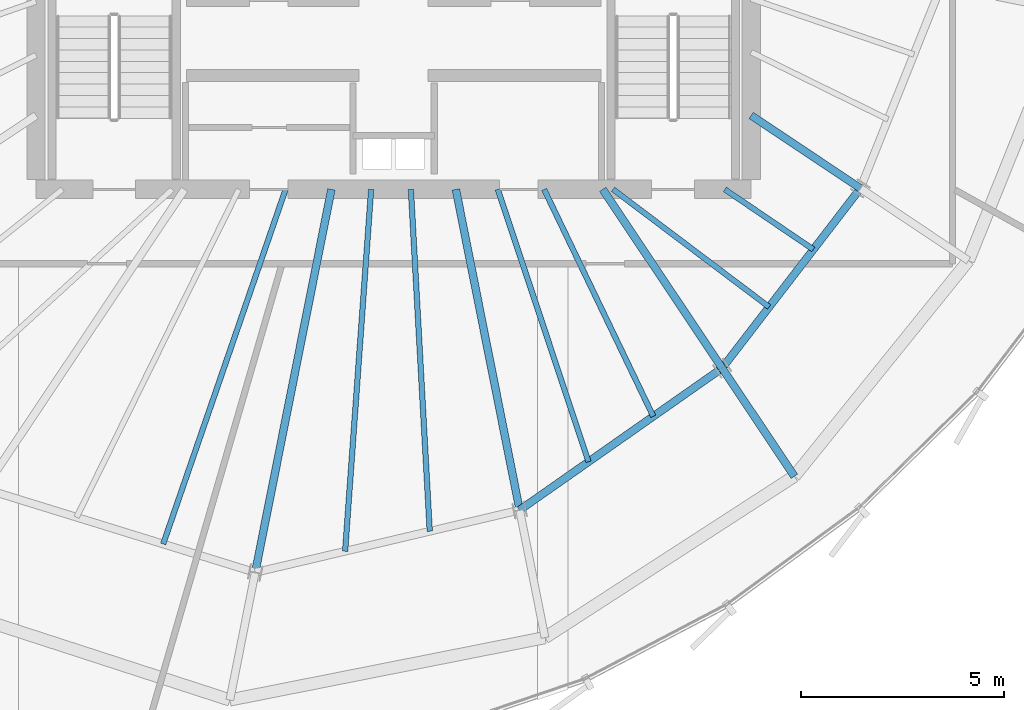
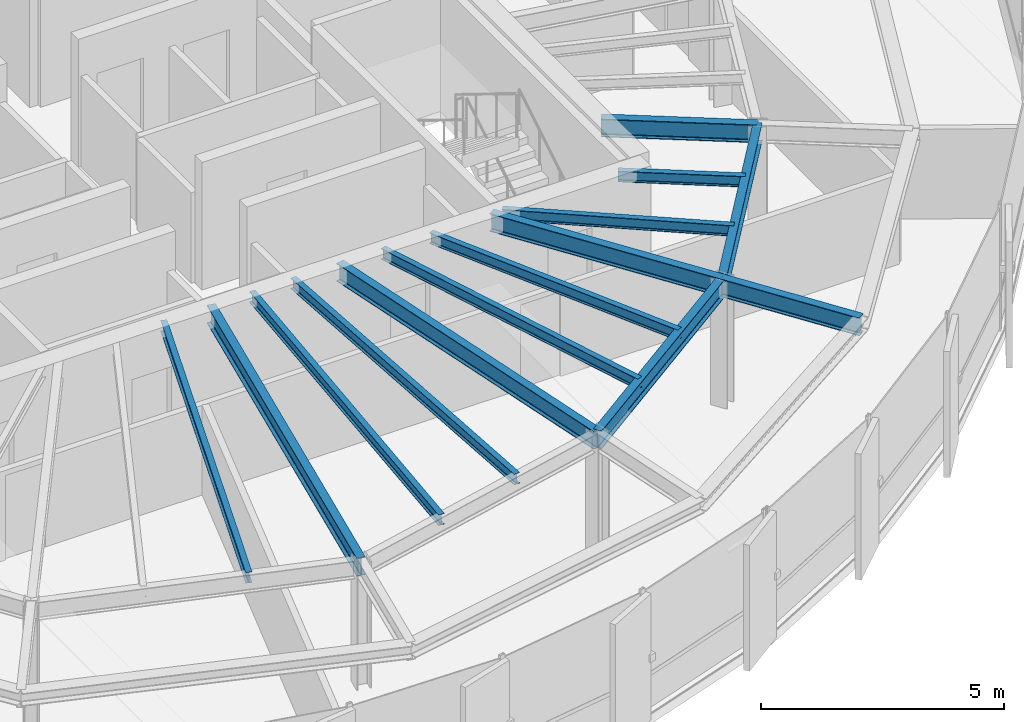
# One storey, part 8 of 34: 14 beams.
"""IFC4 building model written with IfcOpenShell, lengths in metres."""

import ifcopenshell
import ifcopenshell.guid

model = None  # the IFC model being written
_history = None  # IfcOwnerHistory: only IFC2X3 demands one
_inside = {}  # id of a spatial element -> (the spatial element, [elements in it])
_under = {}  # id of a project, library or spatial element -> (it, [spatial elements below it])
_declared = {}  # id of a project -> (the project, [libraries it declares])
_typed = {}  # id of a type object -> (the type object, [elements of that type])
_made_of = {}  # id of a material, layer set ... -> (it, [elements and type objects made of it])


def new_model(schema):
    """Start an empty IFC model of exactly this schema.

    Asked for "IFC4X3", IfcOpenShell would pick the latest addendum, in which some entities
    have other attributes; the version numbers below select the first issue.
    IFC2X3 requires an IfcOwnerHistory on every rooted entity: one is made here for all.
    """
    global model, _history
    if schema == "IFC4X3":
        model = ifcopenshell.file(schema_version=(4, 3, 0, 0))
    else:
        model = ifcopenshell.file(schema=schema)
    _inside.clear()
    _under.clear()
    _declared.clear()
    _typed.clear()
    _made_of.clear()
    _history = None
    if model.schema == "IFC2X3":
        org = make("IfcOrganization", Name="unknown")
        user = make(
            "IfcPersonAndOrganization",
            ThePerson=make("IfcPerson", FamilyName="unknown"),
            TheOrganization=org,
        )
        app = make(
            "IfcApplication",
            ApplicationDeveloper=org,
            Version="unknown",
            ApplicationFullName="unknown",
            ApplicationIdentifier="unknown",
        )
        _history = make(
            "IfcOwnerHistory",
            OwningUser=user,
            OwningApplication=app,
            ChangeAction="ADDED",
            CreationDate=0,
        )
    return model


def make(cls, **values):
    """One entity of the class cls with the attributes given. An attribute that is None is left unset."""
    return model.create_entity(
        cls, **{name: value for name, value in values.items() if value is not None}
    )


def rooted(cls, **values):
    """An entity with a GlobalId (a new one), such as an element, a storey or a relation."""
    return make(cls, GlobalId=ifcopenshell.guid.new(), OwnerHistory=_history, **values)


def si_unit(unit_type, name, prefix=None):
    """IfcSIUnit, for example si_unit("LENGTHUNIT", "METRE", prefix="MILLI")."""
    return make("IfcSIUnit", UnitType=unit_type, Prefix=prefix, Name=name)


def assignment(units):
    """IfcUnitAssignment: the units of a project."""
    return None if units is None else make("IfcUnitAssignment", Units=units)


def point(xyz):
    """IfcCartesianPoint."""
    return None if xyz is None else make("IfcCartesianPoint", Coordinates=xyz)


def direction(xyz):
    """IfcDirection."""
    return None if xyz is None else make("IfcDirection", DirectionRatios=xyz)


def frame(location, z_axis=None, x_axis=None):
    """IfcAxis2Placement3D, a coordinate frame: its origin and axes. An axis left out is left unset."""
    return make(
        "IfcAxis2Placement3D",
        Location=point(location),
        Axis=direction(z_axis),
        RefDirection=direction(x_axis),
    )


def frame_2d(location, x_axis=None):
    """IfcAxis2Placement2D, a coordinate frame in the plane: its origin and x axis."""
    return make(
        "IfcAxis2Placement2D", Location=point(location), RefDirection=direction(x_axis)
    )


def origin():
    """The frame at (0, 0, 0) with its axes left unset."""
    return frame((0.0, 0.0, 0.0))


def origin_2d():
    """The frame at (0, 0) in the plane with its x axis left unset."""
    return frame_2d((0.0, 0.0))


def place(relative_to, where):
    """IfcLocalPlacement: puts the frame where relative to a parent placement (None: the world)."""
    return make(
        "IfcLocalPlacement", PlacementRelTo=relative_to, RelativePlacement=where
    )


def context(
    kind, dimensions, precision=None, world=None, true_north=None, identifier=None
):
    """IfcGeometricRepresentationContext, for example the 3D "Model" context."""
    return make(
        "IfcGeometricRepresentationContext",
        ContextIdentifier=identifier,
        ContextType=kind,
        CoordinateSpaceDimension=dimensions,
        Precision=precision,
        WorldCoordinateSystem=world,
        TrueNorth=true_north,
    )


def subcontext(parent, identifier, kind, view, scale=None):
    """IfcGeometricRepresentationSubContext, for example "Body" below "Model"."""
    return make(
        "IfcGeometricRepresentationSubContext",
        ContextIdentifier=identifier,
        ContextType=kind,
        ParentContext=parent,
        TargetScale=scale,
        TargetView=view,
    )


def project(units=None, contexts=None):
    """IfcProject with its units and contexts."""
    return rooted(
        "IfcProject",
        Name="project",
        RepresentationContexts=contexts,
        UnitsInContext=assignment(units),
    )


def spatial(cls, under=None, at=None, **own):
    """A site, building, storey or space (cls), placed at a placement, below another one or the project."""
    s = rooted(cls, ObjectPlacement=at, **own)
    if under is not None:
        _under.setdefault(under.id(), (under, []))[1].append(s)
    return s


def profile(cls, at=None, kind="AREA", **sizes):
    """A parametric profile (cls). Its sizes go by their IFC names, for example OverallWidth=200.0."""
    return make(cls, ProfileType=kind, Position=at, **sizes)


def i_section(**sizes):
    """IfcIShapeProfileDef."""
    return profile("IfcIShapeProfileDef", **sizes)


def extrude(swept, where, along, depth):
    """IfcExtrudedAreaSolid: the profile swept, set in the frame where, extruded along a direction by depth."""
    return make(
        "IfcExtrudedAreaSolid",
        SweptArea=swept,
        Position=where,
        ExtrudedDirection=direction(along),
        Depth=depth,
    )


def shape(context_of_items, identifier, shape_type, items):
    """IfcShapeRepresentation: the items that make up one representation, for example the "Body"."""
    return make(
        "IfcShapeRepresentation",
        ContextOfItems=context_of_items,
        RepresentationIdentifier=identifier,
        RepresentationType=shape_type,
        Items=items,
    )


def source(mapping_origin, context_of_items, identifier, shape_type, items):
    """IfcRepresentationMap: a shape defined once, which mapped items show again and again."""
    return make(
        "IfcRepresentationMap",
        MappingOrigin=mapping_origin,
        MappedRepresentation=shape(context_of_items, identifier, shape_type, items),
    )


def transform(
    local_origin,
    x_axis=None,
    y_axis=None,
    z_axis=None,
    scale=None,
    scale2=None,
    scale3=None,
    uniform=True,
):
    """IfcCartesianTransformationOperator3D, or its non-uniform kind. x_axis, y_axis, z_axis: its Axis1, 2, 3."""
    if uniform:
        return make(
            "IfcCartesianTransformationOperator3D",
            Axis1=direction(x_axis),
            Axis2=direction(y_axis),
            LocalOrigin=point(local_origin),
            Scale=scale,
            Axis3=direction(z_axis),
        )
    return make(
        "IfcCartesianTransformationOperator3DnonUniform",
        Axis1=direction(x_axis),
        Axis2=direction(y_axis),
        LocalOrigin=point(local_origin),
        Scale=scale,
        Axis3=direction(z_axis),
        Scale2=scale2,
        Scale3=scale3,
    )


def mapped(mapping_source, mapping_target):
    """IfcMappedItem: shows the shape of a source again, moved by a transform."""
    return make(
        "IfcMappedItem", MappingSource=mapping_source, MappingTarget=mapping_target
    )


def material(Name=None, Category=None):
    """IfcMaterial."""
    return make("IfcMaterial", Name=Name, Category=Category)


def material_profile(
    of_material, cross_section, Name=None, Category=None, Priority=None
):
    """IfcMaterialProfile: a cross section and its material."""
    return make(
        "IfcMaterialProfile",
        Name=Name,
        Material=of_material,
        Profile=cross_section,
        Priority=Priority,
        Category=Category,
    )


def profile_set(profiles, Name=None, composite=None):
    """IfcMaterialProfileSet."""
    return make(
        "IfcMaterialProfileSet",
        Name=Name,
        MaterialProfiles=profiles,
        CompositeProfile=composite,
    )


def made_of(thing, what):
    """Note that an element or type object is made of a material, layer set ...; save() writes the relation."""
    if what is not None:
        _made_of.setdefault(what.id(), (what, []))[1].append(thing)
    return thing


def type_object(cls, material=None, **own):
    """A type object (cls), such as IfcWallType, which elements share."""
    return made_of(rooted(cls, **own), material)


def element(
    cls,
    number,
    at=None,
    inside=None,
    cuts=None,
    type_object=None,
    material=None,
    context=None,
    identifier="Body",
    shape_type=None,
    held_by="IfcProductDefinitionShape",
    body=None,
    shapes=None,
    **own,
):
    """One element of the class cls, such as IfcWall. Its Tag is "e" and its number.

    at: its placement. inside: the storey or other place that contains it. cuts: it is an
    opening in that element (IfcRelVoidsElement). A single representation is given by context,
    identifier, shape_type and body (its items); several are given by shapes. held_by: the class
    of the entity that holds the representations. save() writes the other relations.
    """
    e = rooted(cls, Tag="e%d" % number, ObjectPlacement=at, **own)
    if body is not None:
        shapes = [shape(context, identifier, shape_type, body)]
    if shapes is not None:
        e.Representation = make(held_by, Representations=shapes)
    if inside is not None:
        _inside.setdefault(inside.id(), (inside, []))[1].append(e)
    if cuts is not None:
        rooted(
            "IfcRelVoidsElement", RelatingBuildingElement=cuts, RelatedOpeningElement=e
        )
    if type_object is not None:
        _typed.setdefault(type_object.id(), (type_object, []))[1].append(e)
    return made_of(e, material)


def aggregate(whole, parts):
    """IfcRelAggregates: a whole, such as a stair, and the parts it consists of."""
    return rooted("IfcRelAggregates", RelatingObject=whole, RelatedObjects=parts)


def save(model, path):
    """Write the relations noted so far, then the file.

    IfcRelAggregates (storeys below a building ...), IfcRelContainedInSpatialStructure (elements
    in a storey), IfcRelDefinesByType, IfcRelAssociatesMaterial and IfcRelDeclares: one each for
    every whole, place, type object, material and project.
    """
    for whole, parts in _under.values():
        aggregate(whole, parts)
    for where, things in _inside.values():
        rooted(
            "IfcRelContainedInSpatialStructure",
            RelatedElements=things,
            RelatingStructure=where,
        )
    for kind, things in _typed.values():
        rooted("IfcRelDefinesByType", RelatedObjects=things, RelatingType=kind)
    for what, things in _made_of.values():
        rooted("IfcRelAssociatesMaterial", RelatedObjects=things, RelatingMaterial=what)
    for by, libraries in _declared.values():
        rooted("IfcRelDeclares", RelatingContext=by, RelatedDefinitions=libraries)
    model.write(path)


model = new_model("IFC4")

# Units and contexts
model_context = context("Model", 3, precision=1e-05, world=origin(), true_north=direction((0.0, 1.0)))
body_context = subcontext(model_context, "Body", "Model", "MODEL_VIEW")
ifc_project = project(units=[si_unit("LENGTHUNIT", "METRE"), si_unit("AREAUNIT", "SQUARE_METRE"), si_unit("VOLUMEUNIT", "CUBIC_METRE"), si_unit("PLANEANGLEUNIT", "RADIAN"), si_unit("MASSUNIT", "GRAM", prefix="KILO"), si_unit("THERMODYNAMICTEMPERATUREUNIT", "KELVIN")], contexts=[model_context])

# Site, building, storey
site_placement = place(None, origin())
site = spatial("IfcSite", under=ifc_project, at=site_placement, CompositionType="ELEMENT")
building_placement = place(site_placement, origin())
building = spatial("IfcBuilding", under=site, at=building_placement, Name="Kethvar Cultural Tower", CompositionType="ELEMENT")
storey_placement = place(building_placement, frame((0.0, 0.0, 231.85009765625)))
storey = spatial("IfcBuildingStorey", under=building, at=storey_placement, Name="L60", CompositionType="ELEMENT", Elevation=231.85009765625)

# Beams
ifc_material = material(Name="Steel S355J2", Category="steel")
ifc_material_profile_1 = material_profile(ifc_material, i_section(OverallWidth=0.18994140625, OverallDepth=0.449951171875, WebThickness=0.009521484375, FlangeThickness=0.0146484375, FilletRadius=0.02099609375, at=origin_2d()), Name="Steel S355J2 — IPE450")
ifc_profile_set_1 = profile_set([ifc_material_profile_1], Name="Steel S355J2 — IPE450")
beam_type_1 = type_object("IfcBeamType", Name="BM-IPE450", PredefinedType="BEAM", material=ifc_profile_set_1)
shared_shape_1 = source(origin(), body_context, "Body", "SweptSolid", [
    extrude(i_section(OverallWidth=0.18994140625, OverallDepth=0.449951171875, WebThickness=0.009521484375, FlangeThickness=0.0146484375, FilletRadius=0.02099609375, at=origin_2d()), origin(), (0.0, 0.0, 1.0), 3.199951171875),
])
beam_1_placement = place(storey_placement, frame((54.885009765625, 15.7001953125, 2.98291015625), z_axis=(0.555492222339, -0.83152173208, 0.0), x_axis=(0.83152173208, 0.555492222339, 0.0)))
element("IfcBeam", 1, at=beam_1_placement, inside=storey, type_object=beam_type_1, Name="L60 Perimeter Cantilever Beam RC-14", PredefinedType="BEAM", context=body_context, shape_type="MappedRepresentation", body=[
    mapped(shared_shape_1, transform((0.0, 0.0, 0.0), scale=1.0)),
])
shared_shape_2 = source(origin(), body_context, "Body", "SweptSolid", [
    extrude(i_section(OverallWidth=0.18994140625, OverallDepth=0.449951171875, WebThickness=0.009521484375, FlangeThickness=0.0146484375, FilletRadius=0.02099609375, at=origin_2d()), origin(), (0.0, 0.0, 1.0), 9.613525390625),
])
beam_2_placement = place(storey_placement, frame((45.268310546875, 20.10009765625, 2.98291015625), z_axis=(-0.195090428816, -0.980785259159, 0.0), x_axis=(0.980785259159, -0.195090428816, 0.0)))
element("IfcBeam", 2, at=beam_2_placement, inside=storey, type_object=beam_type_1, Name="L60 Primary Radial Beam RB-12", PredefinedType="BEAM", context=body_context, shape_type="MappedRepresentation", body=[
    mapped(shared_shape_2, transform((0.0, 0.0, 0.0), scale=1.0)),
])
shared_shape_3 = source(origin(), body_context, "Body", "SweptSolid", [
    extrude(i_section(OverallWidth=0.18994140625, OverallDepth=0.449951171875, WebThickness=0.009521484375, FlangeThickness=0.0146484375, FilletRadius=0.02099609375, at=origin_2d()), origin(), (0.0, 0.0, 1.0), 8.0478515625),
])
beam_3_placement = place(storey_placement, frame((48.33154296875, 20.10009765625, 2.98291015625), z_axis=(0.195089278796, -0.980785487912, 0.0), x_axis=(0.980785487912, 0.195089278796, 0.0)))
element("IfcBeam", 3, at=beam_3_placement, inside=storey, type_object=beam_type_1, Name="L60 Primary Radial Beam RB-13", PredefinedType="BEAM", context=body_context, shape_type="MappedRepresentation", body=[
    mapped(shared_shape_3, transform((0.0, 0.0, 0.0), scale=1.0)),
])
shared_shape_4 = source(origin(), body_context, "Body", "SweptSolid", [
    extrude(i_section(OverallWidth=0.18994140625, OverallDepth=0.449951171875, WebThickness=0.009521484375, FlangeThickness=0.0146484375, FilletRadius=0.02099609375, at=origin_2d()), origin(), (0.0, 0.0, 1.0), 5.291748046875),
])
beam_4_placement = place(storey_placement, frame((51.945068359375, 20.10009765625, 2.98291015625), z_axis=(0.555572931011, -0.831467809556, 0.0), x_axis=(0.831467809556, 0.555572931011, 0.0)))
element("IfcBeam", 4, at=beam_4_placement, inside=storey, type_object=beam_type_1, Name="L60 Primary Radial Beam RB-14", PredefinedType="BEAM", context=body_context, shape_type="MappedRepresentation", body=[
    mapped(shared_shape_4, transform((0.0, 0.0, 0.0), scale=1.0)),
])
shared_shape_5 = source(origin(), body_context, "Body", "SweptSolid", [
    extrude(i_section(OverallWidth=0.18994140625, OverallDepth=0.449951171875, WebThickness=0.009521484375, FlangeThickness=0.0146484375, FilletRadius=0.02099609375, at=origin_2d()), origin(), (0.0, 0.0, 1.0), 3.231689453125),
])
beam_5_placement = place(storey_placement, frame((55.60009765625, 21.919921875, 2.98291015625), z_axis=(0.831468708055, -0.55557158632, 0.0), x_axis=(0.55557158632, 0.831468708055, 0.0)))
element("IfcBeam", 5, at=beam_5_placement, inside=storey, type_object=beam_type_1, Name="L60 Primary Radial Beam RB-15", PredefinedType="BEAM", context=body_context, shape_type="MappedRepresentation", body=[
    mapped(shared_shape_5, transform((0.0, 0.0, 0.0), scale=1.0)),
])
ifc_material_profile_2 = material_profile(ifc_material, i_section(OverallWidth=0.135009765625, OverallDepth=0.27001953125, WebThickness=0.006591796875, FlangeThickness=0.01025390625, FilletRadius=0.014892578125, at=origin_2d()), Name="Steel S355J2 — IPE270")
ifc_profile_set_2 = profile_set([ifc_material_profile_2], Name="Steel S355J2 — IPE270")
beam_type_2 = type_object("IfcBeamType", Name="BM-J270", PredefinedType="JOIST", material=ifc_profile_set_2)
shared_shape_6 = source(origin(), body_context, "Body", "SweptSolid", [
    extrude(i_section(OverallWidth=0.135009765625, OverallDepth=0.27001953125, WebThickness=0.006591796875, FlangeThickness=0.01025390625, FilletRadius=0.014892578125, at=origin_2d()), origin(), (0.0, 0.0, 1.0), 9.234130859375),
])
beam_6_placement = place(storey_placement, frame((44.1416015625, 20.10009765625, 3.072998046875), z_axis=(-0.326362208058, -0.945244787953, 0.0), x_axis=(0.945244787953, -0.326362208058, 0.0)))
element("IfcBeam", 6, at=beam_6_placement, inside=storey, type_object=beam_type_2, Name="L60 Composite Floor Joist J-11B", PredefinedType="JOIST", context=body_context, shape_type="MappedRepresentation", body=[
    mapped(shared_shape_6, transform((0.0, 0.0, 0.0), scale=1.0)),
])
shared_shape_7 = source(origin(), body_context, "Body", "SweptSolid", [
    extrude(i_section(OverallWidth=0.135009765625, OverallDepth=0.27001953125, WebThickness=0.006591796875, FlangeThickness=0.01025390625, FilletRadius=0.014892578125, at=origin_2d()), origin(), (0.0, 0.0, 1.0), 8.9296875),
])
beam_7_placement = place(storey_placement, frame((46.246337890625, 20.10009765625, 3.072998046875), z_axis=(-0.071713352262, -0.99742528297, 0.0), x_axis=(0.99742528297, -0.071713352262, 0.0)))
element("IfcBeam", 7, at=beam_7_placement, inside=storey, type_object=beam_type_2, Name="L60 Composite Floor Joist J-12A", PredefinedType="JOIST", context=body_context, shape_type="MappedRepresentation", body=[
    mapped(shared_shape_7, transform((0.0, 0.0, 0.0), scale=1.0)),
])
shared_shape_8 = source(origin(), body_context, "Body", "SweptSolid", [
    extrude(i_section(OverallWidth=0.135009765625, OverallDepth=0.27001953125, WebThickness=0.006591796875, FlangeThickness=0.01025390625, FilletRadius=0.014892578125, at=origin_2d()), origin(), (0.0, 0.0, 1.0), 8.427978515625),
])
beam_8_placement = place(storey_placement, frame((47.224609375, 20.10009765625, 3.072998046875), z_axis=(0.055067321535, -0.998482643865, 0.0), x_axis=(0.998482643865, 0.055067321535, 0.0)))
element("IfcBeam", 8, at=beam_8_placement, inside=storey, type_object=beam_type_2, Name="L60 Composite Floor Joist J-12B", PredefinedType="JOIST", context=body_context, shape_type="MappedRepresentation", body=[
    mapped(shared_shape_8, transform((0.0, 0.0, 0.0), scale=1.0)),
])
shared_shape_9 = source(origin(), body_context, "Body", "SweptSolid", [
    extrude(i_section(OverallWidth=0.18994140625, OverallDepth=0.449951171875, WebThickness=0.009521484375, FlangeThickness=0.0146484375, FilletRadius=0.02099609375, at=origin_2d()), origin(), (0.0, 0.0, 1.0), 6.0859375),
])
beam_9_placement = place(storey_placement, frame((49.901611328125, 12.206787109375, 2.98291015625), z_axis=(0.818843498091, 0.57401683393, 0.0), x_axis=(-0.57401683393, 0.818843498091, 0.0)))
element("IfcBeam", 9, at=beam_9_placement, inside=storey, type_object=beam_type_1, Name="L60 Column Ring Tie Beam CR-13", PredefinedType="BEAM", context=body_context, shape_type="MappedRepresentation", body=[
    mapped(shared_shape_9, transform((0.0, 0.0, 0.0), scale=1.0)),
])
shared_shape_10 = source(origin(), body_context, "Body", "SweptSolid", [
    extrude(i_section(OverallWidth=0.135009765625, OverallDepth=0.27001953125, WebThickness=0.006591796875, FlangeThickness=0.01025390625, FilletRadius=0.014892578125, at=origin_2d()), origin(), (0.0, 0.0, 1.0), 7.0673828125),
])
beam_10_placement = place(storey_placement, frame((49.363525390625, 20.10009765625, 3.072998046875), z_axis=(0.315875389768, -0.948800684095, 0.0), x_axis=(0.948800684095, 0.315875389768, 0.0)))
element("IfcBeam", 10, at=beam_10_placement, inside=storey, type_object=beam_type_2, Name="L60 Composite Floor Joist J-13A", PredefinedType="JOIST", context=body_context, shape_type="MappedRepresentation", body=[
    mapped(shared_shape_10, transform((0.0, 0.0, 0.0), scale=1.0)),
])
shared_shape_11 = source(origin(), body_context, "Body", "SweptSolid", [
    extrude(i_section(OverallWidth=0.135009765625, OverallDepth=0.27001953125, WebThickness=0.006591796875, FlangeThickness=0.01025390625, FilletRadius=0.014892578125, at=origin_2d()), origin(), (0.0, 0.0, 1.0), 6.2001953125),
])
beam_11_placement = place(storey_placement, frame((50.50341796875, 20.10009765625, 3.072998046875), z_axis=(0.433410678328, -0.901196529017, 0.0), x_axis=(0.901196529017, 0.433410678328, 0.0)))
element("IfcBeam", 11, at=beam_11_placement, inside=storey, type_object=beam_type_2, Name="L60 Composite Floor Joist J-13B", PredefinedType="JOIST", context=body_context, shape_type="MappedRepresentation", body=[
    mapped(shared_shape_11, transform((0.0, 0.0, 0.0), scale=1.0)),
])
shared_shape_12 = source(origin(), body_context, "Body", "SweptSolid", [
    extrude(i_section(OverallWidth=0.18994140625, OverallDepth=0.449951171875, WebThickness=0.009521484375, FlangeThickness=0.0146484375, FilletRadius=0.02099609375, at=origin_2d()), origin(), (0.0, 0.0, 1.0), 5.5810546875),
])
beam_12_placement = place(storey_placement, frame((54.885009765625, 15.7001953125, 2.98291015625), z_axis=(0.60957334008, 0.79272967843, 0.0), x_axis=(-0.79272967843, 0.60957334008, 0.0)))
element("IfcBeam", 12, at=beam_12_placement, inside=storey, type_object=beam_type_1, Name="L60 Column Ring Tie Beam CR-14", PredefinedType="BEAM", context=body_context, shape_type="MappedRepresentation", body=[
    mapped(shared_shape_12, transform((0.0, 0.0, 0.0), scale=1.0)),
])
shared_shape_13 = source(origin(), body_context, "Body", "SweptSolid", [
    extrude(i_section(OverallWidth=0.135009765625, OverallDepth=0.27001953125, WebThickness=0.006591796875, FlangeThickness=0.01025390625, FilletRadius=0.014892578125, at=origin_2d()), origin(), (0.0, 0.0, 1.0), 4.810791015625),
])
beam_13_placement = place(storey_placement, frame((52.199951171875, 20.10009765625, 3.072998046875), z_axis=(0.798542152732, -0.601938892505, 0.0), x_axis=(0.601938892505, 0.798542152732, 0.0)))
element("IfcBeam", 13, at=beam_13_placement, inside=storey, type_object=beam_type_2, Name="L60 Composite Floor Joist J-14A", PredefinedType="JOIST", context=body_context, shape_type="MappedRepresentation", body=[
    mapped(shared_shape_13, transform((0.0, 0.0, 0.0), scale=1.0)),
])
shared_shape_14 = source(origin(), body_context, "Body", "SweptSolid", [
    extrude(i_section(OverallWidth=0.135009765625, OverallDepth=0.27001953125, WebThickness=0.006591796875, FlangeThickness=0.01025390625, FilletRadius=0.014892578125, at=origin_2d()), origin(), (0.0, 0.0, 1.0), 2.635009765625),
])
beam_14_placement = place(storey_placement, frame((54.949951171875, 20.10009765625, 3.072998046875), z_axis=(0.827446562598, -0.561544464887, 0.0), x_axis=(0.561544464887, 0.827446562598, 0.0)))
element("IfcBeam", 14, at=beam_14_placement, inside=storey, type_object=beam_type_2, Name="L60 Composite Floor Joist J-14B", PredefinedType="JOIST", context=body_context, shape_type="MappedRepresentation", body=[
    mapped(shared_shape_14, transform((0.0, 0.0, 0.0), scale=1.0)),
])

save(model, "model.ifc")
